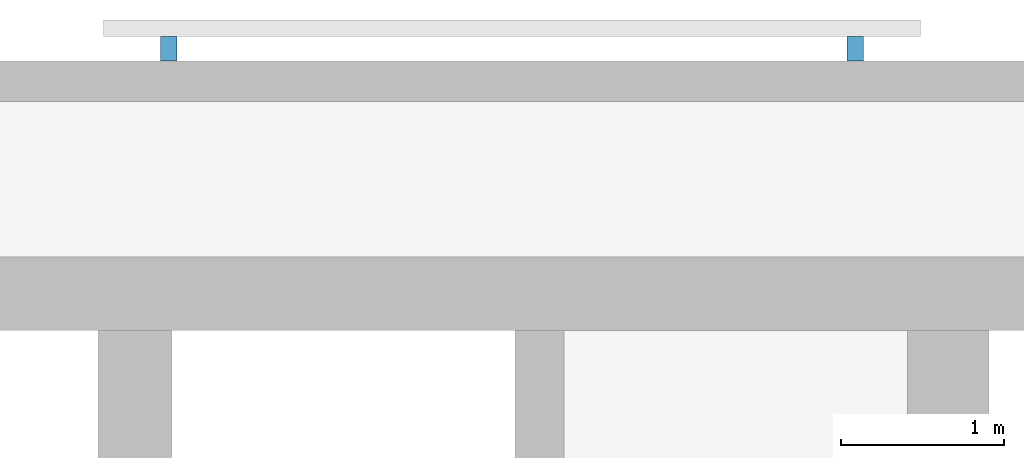
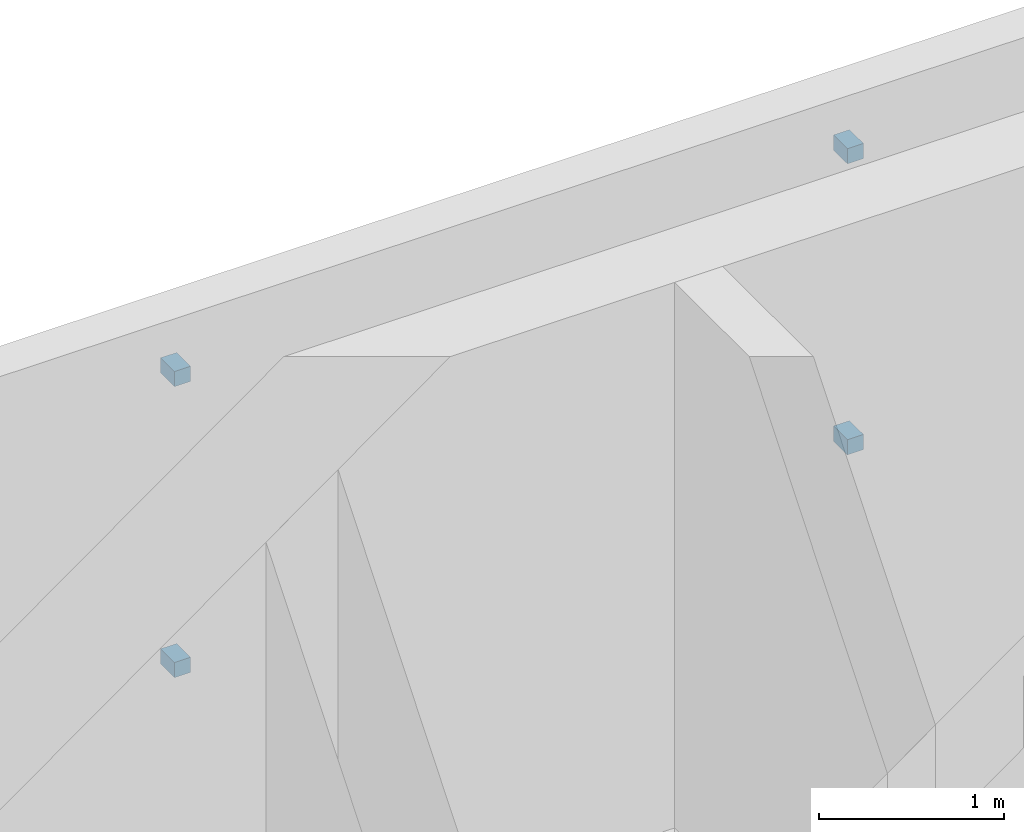
# One storey, part 12 of 15: 4 discrete accessories.
"""IFC4 building model written with IfcOpenShell, lengths in metres."""

from ifc_helpers import new_model, si_unit, direction, frame, origin, origin_2d, place, context, subcontext, project, spatial, rectangle, extrude, material, type_object, element, save


model = new_model("IFC4")

# Units and contexts
model_context = context("Model", 3, precision=1e-05, world=origin(), true_north=direction((0.0, 1.0)))
body_context = subcontext(model_context, "Body", "Model", "MODEL_VIEW")
ifc_project = project(units=[si_unit("LENGTHUNIT", "METRE"), si_unit("AREAUNIT", "SQUARE_METRE"), si_unit("VOLUMEUNIT", "CUBIC_METRE"), si_unit("PLANEANGLEUNIT", "RADIAN"), si_unit("MASSUNIT", "GRAM", prefix="KILO")], contexts=[model_context])

# Site, building, storey
site_placement = place(None, origin())
site = spatial("IfcSite", under=ifc_project, at=site_placement, CompositionType="ELEMENT")
building_placement = place(site_placement, origin())
building = spatial("IfcBuilding", under=site, at=building_placement, Name="Torana Hotel and Residences", CompositionType="ELEMENT")
storey_placement = place(building_placement, frame((0.0, 0.0, 92.39990234375)))
storey = spatial("IfcBuildingStorey", under=building, at=storey_placement, Name="L23", CompositionType="ELEMENT", Elevation=92.39990234375)

# Discrete accessories
ifc_material = material(Name="Steel S355", Category="steel")
discrete_accessory_type = type_object("IfcDiscreteAccessoryType", Name="SCREEN BRACKET 100", PredefinedType="BRACKET", material=ifc_material)
for number, where, z_axis, x_axis, name in (
    (1, (23.681396484375, 1.27490234375, 0.75), (0.0, 0.0, 1.0), (-1.0, 0.0, 0.0), "Screen bracket L23"),
    (2, (23.681396484375, 1.27490234375, 2.670166015625), (0.0, 0.0, 1.0), (-1.0, 0.0, 0.0), "Screen bracket L23"),
    (3, (19.4814453125, 1.27490234375, 0.75), (0.0, 0.0, 1.0), (-1.0, 0.0, 0.0), "Screen bracket L23"),
    (4, (19.4814453125, 1.27490234375, 2.670166015625), (0.0, 0.0, 1.0), (-1.0, 0.0, 0.0), "Screen bracket L23"),
):
    element("IfcDiscreteAccessory", number, at=place(storey_placement, frame(where, z_axis=z_axis, x_axis=x_axis)), inside=storey, type_object=discrete_accessory_type, Name=name, PredefinedType="BRACKET", context=body_context, shape_type="SweptSolid", body=[
        extrude(rectangle(XDim=0.10009765625, YDim=0.14990234375, at=origin_2d()), origin(), (0.0, 0.0, 1.0), 0.10009765625),
    ])

save(model, "model.ifc")
